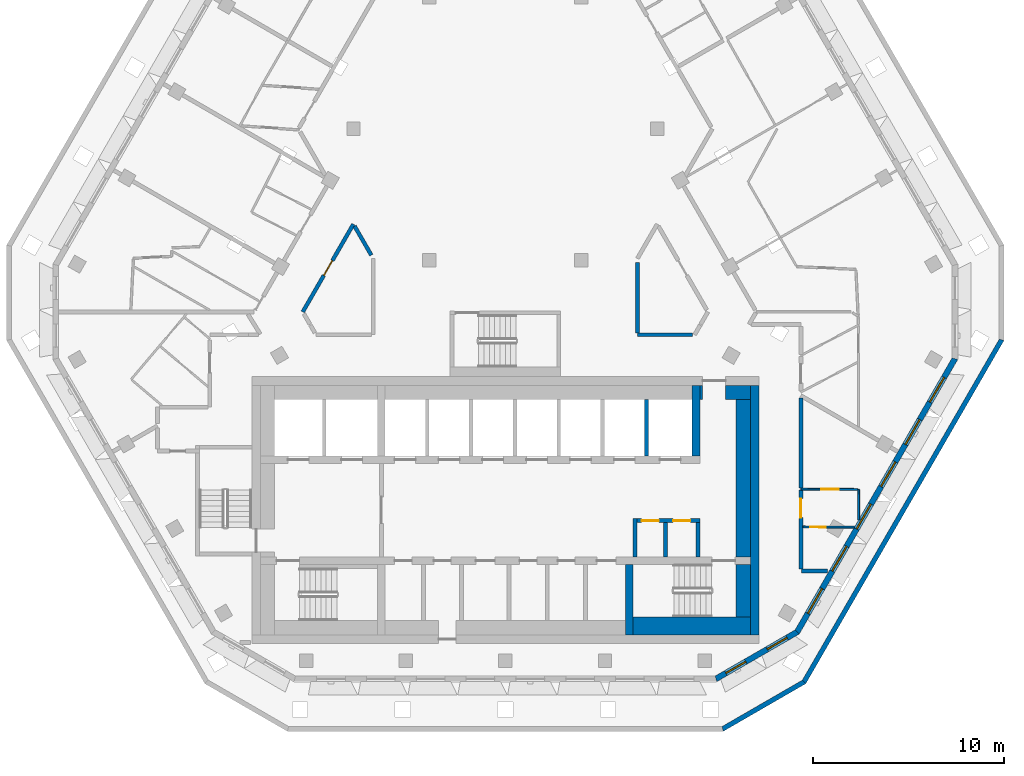
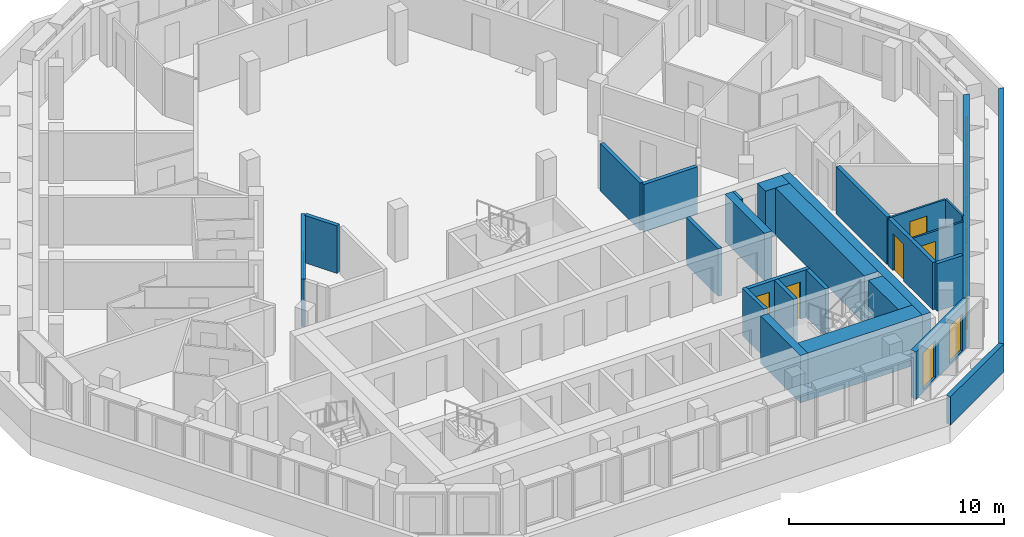
# One storey, part 5 of 15: 27 walls, 8 windows, 6 doors, 14 openings.
"""IFC4 building model written with IfcOpenShell, lengths in metres."""

from ifc_helpers import new_model, si_unit, direction, frame, frame_2d, origin, place, context, subcontext, project, spatial, polyline, rectangle, outline, extrude, material, layer, layer_set, type_object, element, fill, save


model = new_model("IFC4")

# Units and contexts
model_context = context("Model", 3, precision=1e-05, world=origin(), true_north=direction((0.0, 1.0)))
body_context = subcontext(model_context, "Body", "Model", "MODEL_VIEW")
ifc_project = project(units=[si_unit("LENGTHUNIT", "METRE"), si_unit("AREAUNIT", "SQUARE_METRE"), si_unit("VOLUMEUNIT", "CUBIC_METRE"), si_unit("PLANEANGLEUNIT", "RADIAN"), si_unit("MASSUNIT", "GRAM", prefix="KILO")], contexts=[model_context])

# Site, building, storey
site_placement = place(None, origin())
site = spatial("IfcSite", under=ifc_project, at=site_placement, CompositionType="ELEMENT")
building_placement = place(site_placement, origin())
building = spatial("IfcBuilding", under=site, at=building_placement, Name="Beryl Residences", CompositionType="ELEMENT")
storey_placement = place(building_placement, frame((0.0, 0.0, 202.800048828125)))
storey = spatial("IfcBuildingStorey", under=building, at=storey_placement, Name="L62", CompositionType="ELEMENT", Elevation=202.800048828125)

# Wall, openings, windows
ifc_material_1 = material(Name="Composite metal panel with mineral wool insulation")
ifc_layer_1 = layer(ifc_material_1, 0.300048828125)
ifc_layer_set_1 = layer_set([ifc_layer_1], Name="ES1 pale metal composite panel wall 300 mm")
wall_type_1 = type_object("IfcWallType", Name="ES1 pale metal composite panel wall 300 mm", PredefinedType="SOLIDWALL", material=ifc_layer_set_1)
wall_1_placement = place(storey_placement, frame((11.010009765625, -20.8701171875, 0.0), z_axis=(0.0, 0.0, 1.0), x_axis=(0.866022959057, 0.500004234368, 0.0)))
wall_1 = element("IfcWall", 1, at=wall_1_placement, inside=storey, type_object=wall_type_1, Name="ES1 external wall L62 S-SE", PredefinedType="SOLIDWALL", context=body_context, shape_type="SweptSolid", body=[
    extrude(outline(polyline([(0.0, -0.14990234375), (5.0, -0.14990234375), (4.919677734375, 0.14990234375), (0.080322265625, 0.14990234375), (0.0, -0.14990234375)])), origin(), (0.0, 0.0, 1.0), 2.699951171875),
])
opening_1_placement = place(wall_1_placement, frame((0.64990234375, 0.0, 0.14990234375)))
opening_1 = element("IfcOpeningElement", 2, at=opening_1_placement, cuts=wall_1, Name="Opening W2", PredefinedType="OPENING", context=body_context, shape_type="SweptSolid", body=[
    extrude(rectangle(XDim=1.199951171875, YDim=2.10009765625, at=frame_2d((0.60009765625, 1.050048828125))), frame((0.0, 0.159912109375, 0.0), z_axis=(0.0, -1.0, 0.0), x_axis=(1.0, 0.0, 0.0)), (0.0, 0.0, 1.0), 0.320068359375),
])
opening_2_placement = place(wall_1_placement, frame((3.14892578125, 0.0, 0.14990234375)))
opening_2 = element("IfcOpeningElement", 3, at=opening_2_placement, cuts=wall_1, Name="Opening W2", PredefinedType="OPENING", context=body_context, shape_type="SweptSolid", body=[
    extrude(rectangle(XDim=1.199951171875, YDim=2.10009765625, at=frame_2d((0.60009765625, 1.050048828125))), frame((0.0, 0.159912109375, 0.0), z_axis=(0.0, -1.0, 0.0), x_axis=(1.0, 0.0, 0.0)), (0.0, 0.0, 1.0), 0.320068359375),
])
ifc_material_2 = material(Name="Aluminium and clear glass", Category="aluminium")
window_type_1 = type_object("IfcWindowType", Name="W2 chamfer window 1200 x 2100 mm", PartitioningType="SINGLE_PANEL", PredefinedType="WINDOW", material=ifc_material_2)
window_1_placement = place(opening_1_placement, origin())
window_1 = element("IfcWindow", 4, at=window_1_placement, inside=storey, type_object=window_type_1, Name="W2 window L62 S-SE 1", OverallHeight=2.10009765625, OverallWidth=1.199951171875, PartitioningType="SINGLE_PANEL", PredefinedType="WINDOW", context=body_context, shape_type="SweptSolid", body=[
    extrude(rectangle(XDim=1.199951171875, YDim=2.10009765625, at=frame_2d((0.60009765625, 1.050048828125))), frame((0.0, 0.030029296875, 0.0), z_axis=(0.0, -1.0, 0.0), x_axis=(1.0, 0.0, 0.0)), (0.0, 0.0, 1.0), 0.06005859375),
])
fill(opening_1, window_1)
window_2_placement = place(opening_2_placement, origin())
window_2 = element("IfcWindow", 5, at=window_2_placement, inside=storey, type_object=window_type_1, Name="W2 window L62 S-SE 2", OverallHeight=2.10009765625, OverallWidth=1.199951171875, PartitioningType="SINGLE_PANEL", PredefinedType="WINDOW", context=body_context, shape_type="SweptSolid", body=[
    extrude(rectangle(XDim=1.199951171875, YDim=2.10009765625, at=frame_2d((0.60009765625, 1.050048828125))), frame((0.0, 0.030029296875, 0.0), z_axis=(0.0, -1.0, 0.0), x_axis=(1.0, 0.0, 0.0)), (0.0, 0.0, 1.0), 0.06005859375),
])
fill(opening_2, window_2)

wall_2_placement = place(storey_placement, frame((15.284912109375, -18.425048828125, 0.0), z_axis=(0.0, 0.0, 1.0), x_axis=(0.500012653391, 0.866018098222, 0.0)))
wall_2 = element("IfcWall", 6, at=wall_2_placement, inside=storey, type_object=wall_type_1, Name="ES1 external wall L62 SE", PredefinedType="SOLIDWALL", context=body_context, shape_type="SweptSolid", body=[
    extrude(outline(polyline([(0.0, -0.14990234375), (16.6279296875, -0.14990234375), (16.547607421875, 0.14990234375), (0.080322265625, 0.14990234375), (0.0, -0.14990234375)])), origin(), (0.0, 0.0, 1.0), 2.699951171875),
])
opening_3_placement = place(wall_2_placement, frame((1.1650390625, 0.0, 0.14990234375)))
opening_3 = element("IfcOpeningElement", 7, at=opening_3_placement, cuts=wall_2, Name="Opening W1", PredefinedType="OPENING", context=body_context, shape_type="SweptSolid", body=[
    extrude(rectangle(XDim=1.5, YDim=2.10009765625, at=frame_2d((0.75, 1.050048828125))), frame((0.0, 0.159912109375, 0.0), z_axis=(0.0, -1.0, 0.0), x_axis=(1.0, 0.0, 0.0)), (0.0, 0.0, 1.0), 0.320068359375),
])
opening_4_placement = place(wall_2_placement, frame((3.72412109375, 0.0, 0.14990234375)))
opening_4 = element("IfcOpeningElement", 8, at=opening_4_placement, cuts=wall_2, Name="Opening W1", PredefinedType="OPENING", context=body_context, shape_type="SweptSolid", body=[
    extrude(rectangle(XDim=1.5, YDim=2.10009765625, at=frame_2d((0.75, 1.050048828125))), frame((0.0, 0.159912109375, 0.0), z_axis=(0.0, -1.0, 0.0), x_axis=(1.0, 0.0, 0.0)), (0.0, 0.0, 1.0), 0.320068359375),
])
opening_5_placement = place(wall_2_placement, frame((6.282958984375, 0.0, 0.14990234375)))
opening_5 = element("IfcOpeningElement", 9, at=opening_5_placement, cuts=wall_2, Name="Opening W1", PredefinedType="OPENING", context=body_context, shape_type="SweptSolid", body=[
    extrude(rectangle(XDim=1.5, YDim=2.10009765625, at=frame_2d((0.75, 1.050048828125))), frame((0.0, 0.159912109375, 0.0), z_axis=(0.0, -1.0, 0.0), x_axis=(1.0, 0.0, 0.0)), (0.0, 0.0, 1.0), 0.320068359375),
])
opening_6_placement = place(wall_2_placement, frame((8.843017578125, 0.0, 0.14990234375)))
opening_6 = element("IfcOpeningElement", 10, at=opening_6_placement, cuts=wall_2, Name="Opening W1", PredefinedType="OPENING", context=body_context, shape_type="SweptSolid", body=[
    extrude(rectangle(XDim=1.5, YDim=2.10009765625, at=frame_2d((0.75, 1.050048828125))), frame((0.0, 0.159912109375, 0.0), z_axis=(0.0, -1.0, 0.0), x_axis=(1.0, 0.0, 0.0)), (0.0, 0.0, 1.0), 0.320068359375),
])
opening_7_placement = place(wall_2_placement, frame((11.402099609375, 0.0, 0.14990234375)))
opening_7 = element("IfcOpeningElement", 11, at=opening_7_placement, cuts=wall_2, Name="Opening W1", PredefinedType="OPENING", context=body_context, shape_type="SweptSolid", body=[
    extrude(rectangle(XDim=1.5, YDim=2.10009765625, at=frame_2d((0.75, 1.050048828125))), frame((0.0, 0.159912109375, 0.0), z_axis=(0.0, -1.0, 0.0), x_axis=(1.0, 0.0, 0.0)), (0.0, 0.0, 1.0), 0.320068359375),
])
opening_8_placement = place(wall_2_placement, frame((13.9619140625, 0.0, 0.14990234375)))
opening_8 = element("IfcOpeningElement", 12, at=opening_8_placement, cuts=wall_2, Name="Opening W1", PredefinedType="OPENING", context=body_context, shape_type="SweptSolid", body=[
    extrude(rectangle(XDim=1.5, YDim=2.10009765625, at=frame_2d((0.75, 1.050048828125))), frame((0.0, 0.159912109375, 0.0), z_axis=(0.0, -1.0, 0.0), x_axis=(1.0, 0.0, 0.0)), (0.0, 0.0, 1.0), 0.320068359375),
])
ifc_material_3 = material(Name="Aluminium and clear glass", Category="aluminium")
window_type_2 = type_object("IfcWindowType", Name="W1 cell window 1500 x 2100 mm", PartitioningType="SINGLE_PANEL", PredefinedType="WINDOW", material=ifc_material_3)
window_3_placement = place(opening_3_placement, origin())
window_3 = element("IfcWindow", 13, at=window_3_placement, inside=storey, type_object=window_type_2, Name="W1 window L62 SE 1", OverallHeight=2.10009765625, OverallWidth=1.5, PartitioningType="SINGLE_PANEL", PredefinedType="WINDOW", context=body_context, shape_type="SweptSolid", body=[
    extrude(rectangle(XDim=1.5, YDim=2.10009765625, at=frame_2d((0.75, 1.050048828125))), frame((0.0, 0.030029296875, 0.0), z_axis=(0.0, -1.0, 0.0), x_axis=(1.0, 0.0, 0.0)), (0.0, 0.0, 1.0), 0.06005859375),
])
fill(opening_3, window_3)
window_4_placement = place(opening_4_placement, origin())
window_4 = element("IfcWindow", 14, at=window_4_placement, inside=storey, type_object=window_type_2, Name="W1 window L62 SE 2", OverallHeight=2.10009765625, OverallWidth=1.5, PartitioningType="SINGLE_PANEL", PredefinedType="WINDOW", context=body_context, shape_type="SweptSolid", body=[
    extrude(rectangle(XDim=1.5, YDim=2.10009765625, at=frame_2d((0.75, 1.050048828125))), frame((0.0, 0.030029296875, 0.0), z_axis=(0.0, -1.0, 0.0), x_axis=(1.0, 0.0, 0.0)), (0.0, 0.0, 1.0), 0.06005859375),
])
fill(opening_4, window_4)
window_5_placement = place(opening_5_placement, origin())
window_5 = element("IfcWindow", 15, at=window_5_placement, inside=storey, type_object=window_type_2, Name="W1 window L62 SE 3", OverallHeight=2.10009765625, OverallWidth=1.5, PartitioningType="SINGLE_PANEL", PredefinedType="WINDOW", context=body_context, shape_type="SweptSolid", body=[
    extrude(rectangle(XDim=1.5, YDim=2.10009765625, at=frame_2d((0.75, 1.050048828125))), frame((0.0, 0.030029296875, 0.0), z_axis=(0.0, -1.0, 0.0), x_axis=(1.0, 0.0, 0.0)), (0.0, 0.0, 1.0), 0.06005859375),
])
fill(opening_5, window_5)
window_6_placement = place(opening_6_placement, origin())
window_6 = element("IfcWindow", 16, at=window_6_placement, inside=storey, type_object=window_type_2, Name="W1 window L62 SE 4", OverallHeight=2.10009765625, OverallWidth=1.5, PartitioningType="SINGLE_PANEL", PredefinedType="WINDOW", context=body_context, shape_type="SweptSolid", body=[
    extrude(rectangle(XDim=1.5, YDim=2.10009765625, at=frame_2d((0.75, 1.050048828125))), frame((0.0, 0.030029296875, 0.0), z_axis=(0.0, -1.0, 0.0), x_axis=(1.0, 0.0, 0.0)), (0.0, 0.0, 1.0), 0.06005859375),
])
fill(opening_6, window_6)
window_7_placement = place(opening_7_placement, origin())
window_7 = element("IfcWindow", 17, at=window_7_placement, inside=storey, type_object=window_type_2, Name="W1 window L62 SE 5", OverallHeight=2.10009765625, OverallWidth=1.5, PartitioningType="SINGLE_PANEL", PredefinedType="WINDOW", context=body_context, shape_type="SweptSolid", body=[
    extrude(rectangle(XDim=1.5, YDim=2.10009765625, at=frame_2d((0.75, 1.050048828125))), frame((0.0, 0.030029296875, 0.0), z_axis=(0.0, -1.0, 0.0), x_axis=(1.0, 0.0, 0.0)), (0.0, 0.0, 1.0), 0.06005859375),
])
fill(opening_7, window_7)
window_8_placement = place(opening_8_placement, origin())
window_8 = element("IfcWindow", 18, at=window_8_placement, inside=storey, type_object=window_type_2, Name="W1 window L62 SE 6", OverallHeight=2.10009765625, OverallWidth=1.5, PartitioningType="SINGLE_PANEL", PredefinedType="WINDOW", context=body_context, shape_type="SweptSolid", body=[
    extrude(rectangle(XDim=1.5, YDim=2.10009765625, at=frame_2d((0.75, 1.050048828125))), frame((0.0, 0.030029296875, 0.0), z_axis=(0.0, -1.0, 0.0), x_axis=(1.0, 0.0, 0.0)), (0.0, 0.0, 1.0), 0.06005859375),
])
fill(opening_8, window_8)

# Walls
ifc_material_4 = material(Name="Precast concrete C40/50", Category="concrete")
ifc_layer_2 = layer(ifc_material_4, 0.25)
ifc_layer_set_2 = layer_set([ifc_layer_2], Name="PA1 roof parapet 250 mm")
wall_type_2 = type_object("IfcWallType", Name="PA1 roof parapet 250 mm", PredefinedType="PARAPET", material=ifc_layer_set_2)
wall_3_placement = place(storey_placement, frame((26.0458984375, -3.0380859375, 0.0), z_axis=(0.0, 0.0, 1.0), x_axis=(-0.500074253024, -0.865982529536, 0.0)))
element("IfcWall", 19, at=wall_3_placement, inside=storey, type_object=wall_type_2, Name="PA1 parapet L62 strip 4", PredefinedType="PARAPET", context=body_context, shape_type="SweptSolid", body=[
    extrude(outline(polyline([(0.06689453125, -0.125), (20.717529296875, -0.125), (20.784423828125, 0.125), (0.0, 0.125), (0.06689453125, -0.125)])), origin(), (0.0, 0.0, 1.0), 1.599853515625),
])
wall_4_placement = place(storey_placement, frame((15.697998046875, -20.990966796875, 0.0), z_axis=(0.0, 0.0, 1.0), x_axis=(-0.865889515344, -0.500235291855, 0.0)))
element("IfcWall", 20, at=wall_4_placement, inside=storey, type_object=wall_type_2, Name="PA1 parapet L62 strip 5", PredefinedType="PARAPET", context=body_context, shape_type="SweptSolid", body=[
    extrude(outline(polyline([(0.06689453125, -0.125), (4.9326171875, -0.125), (4.99951171875, 0.125), (0.0, 0.125), (0.06689453125, -0.125)])), origin(), (0.0, 0.0, 1.0), 1.599853515625),
])

# Wall, opening, door
ifc_material_5 = material(Name="Gypsum board partition on steel studs", Category="steel")
ifc_layer_3 = layer(ifc_material_5, 0.10009765625)
ifc_layer_set_3 = layer_set([ifc_layer_3], Name="PT1 partition 100 mm gypsum board on steel studs")
wall_type_3 = type_object("IfcWallType", Name="PT1 partition 100 mm gypsum board on steel studs", PredefinedType="PARTITIONING", material=ifc_layer_set_3)
wall_5_placement = place(storey_placement, frame((15.5, -10.89990234375, 0.0), z_axis=(0.0, 0.0, 1.0), x_axis=(0.999985419789, -0.005400019449, 0.0)))
wall_5 = element("IfcWall", 21, at=wall_5_placement, inside=storey, type_object=wall_type_3, Name="Wall PT1 L62 001", PredefinedType="PARTITIONING", context=body_context, shape_type="SweptSolid", body=[
    extrude(rectangle(XDim=2.98388671875, YDim=0.10009765625, at=frame_2d((1.491943359375, 0.0))), origin(), (0.0, 0.0, 1.0), 2.699951171875),
])
opening_9_placement = place(wall_5_placement, frame((1.077880859375, 0.0, 0.0)))
opening_9 = element("IfcOpeningElement", 22, at=opening_9_placement, cuts=wall_5, Name="Opening D1827", PredefinedType="OPENING", context=body_context, shape_type="SweptSolid", body=[
    extrude(rectangle(XDim=0.89990234375, YDim=2.10009765625, at=frame_2d((0.449951171875, 1.050048828125))), frame((0.0, 0.06005859375, 0.0), z_axis=(0.0, -1.0, 0.0), x_axis=(1.0, 0.0, 0.0)), (0.0, 0.0, 1.0), 0.1201171875),
])
ifc_material_6 = material(Name="Timber door leaf", Category="wood")
door_type_1 = type_object("IfcDoorType", Name="D2 room door 900 x 2100 mm", OperationType="SINGLE_SWING_LEFT", PredefinedType="DOOR", material=ifc_material_6)
door_1_placement = place(opening_9_placement, origin())
door_1 = element("IfcDoor", 23, at=door_1_placement, inside=storey, type_object=door_type_1, Name="Door D1827 L62 001", OperationType="SINGLE_SWING_LEFT", OverallHeight=2.10009765625, OverallWidth=0.89990234375, PredefinedType="DOOR", context=body_context, shape_type="SweptSolid", body=[
    extrude(rectangle(XDim=0.89990234375, YDim=2.10009765625, at=frame_2d((0.449951171875, 1.050048828125))), frame((0.0, 0.02490234375, 0.0), z_axis=(0.0, -1.0, 0.0), x_axis=(1.0, 0.0, 0.0)), (0.0, 0.0, 1.0), 0.050048828125),
])
fill(opening_9, door_1)

wall_6_placement = place(storey_placement, frame((15.60009765625, -12.881103515625, 0.0), z_axis=(0.0, 0.0, 1.0), x_axis=(0.999986765426, -0.00514480058, 0.0)))
wall_6 = element("IfcWall", 24, at=wall_6_placement, inside=storey, type_object=wall_type_3, Name="Wall PT1 L62 002", PredefinedType="PARTITIONING", context=body_context, shape_type="SweptSolid", body=[
    extrude(rectangle(XDim=2.704833984375, YDim=0.10009765625, at=frame_2d((1.3525390625, 0.0))), origin(), (0.0, 0.0, 1.0), 2.699951171875),
])
opening_10_placement = place(wall_6_placement, frame((0.402099609375, 0.0, 0.0)))
opening_10 = element("IfcOpeningElement", 25, at=opening_10_placement, cuts=wall_6, Name="Opening D1828", PredefinedType="OPENING", context=body_context, shape_type="SweptSolid", body=[
    extrude(rectangle(XDim=0.800048828125, YDim=2.10009765625, at=frame_2d((0.39990234375, 1.050048828125))), frame((0.0, 0.06005859375, 0.0), z_axis=(0.0, -1.0, 0.0), x_axis=(1.0, 0.0, 0.0)), (0.0, 0.0, 1.0), 0.1201171875),
])
ifc_material_7 = material(Name="Timber door leaf", Category="wood")
door_type_2 = type_object("IfcDoorType", Name="D3 bathroom door 800 x 2100 mm", OperationType="SINGLE_SWING_LEFT", PredefinedType="DOOR", material=ifc_material_7)
door_2_placement = place(opening_10_placement, origin())
door_2 = element("IfcDoor", 26, at=door_2_placement, inside=storey, type_object=door_type_2, Name="Door D1828 L62 001", OperationType="SINGLE_SWING_RIGHT", OverallHeight=2.10009765625, OverallWidth=0.800048828125, PredefinedType="DOOR", context=body_context, shape_type="SweptSolid", body=[
    extrude(rectangle(XDim=0.800048828125, YDim=2.10009765625, at=frame_2d((0.39990234375, 1.050048828125))), frame((0.0, 0.02490234375, 0.0), z_axis=(0.0, -1.0, 0.0), x_axis=(1.0, 0.0, 0.0)), (0.0, 0.0, 1.0), 0.050048828125),
])
fill(opening_10, door_2)

# Walls
wall_7_placement = place(storey_placement, frame((18.527099609375, -12.509033203125, 0.0), z_axis=(0.0, 0.0, 1.0), x_axis=(0.004907163735, 0.9999879598, 0.0)))
element("IfcWall", 27, at=wall_7_placement, inside=storey, type_object=wall_type_3, Name="Wall PT1 L62 036", PredefinedType="PARTITIONING", context=body_context, shape_type="SweptSolid", body=[
    extrude(rectangle(XDim=1.592041015625, YDim=0.10009765625, at=frame_2d((0.7958984375, 0.0))), origin(), (0.0, 0.0, 1.0), 2.699951171875),
])
ifc_material_8 = material(Name="Concrete masonry", Category="masonry")
ifc_layer_4 = layer(ifc_material_8, 0.199951171875)
ifc_layer_set_4 = layer_set([ifc_layer_4], Name="PT13 lobby wall 200 mm")
wall_type_4 = type_object("IfcWallType", Name="PT13 lobby wall 200 mm", PredefinedType="PARTITIONING", material=ifc_layer_set_4)
wall_8_placement = place(storey_placement, frame((6.800048828125, -14.449951171875, 0.0), z_axis=(0.0, 0.0, 1.0), x_axis=(0.0, 1.0, 0.0)))
element("IfcWall", 28, at=wall_8_placement, inside=storey, type_object=wall_type_4, Name="Lobby wall 27", PredefinedType="PARTITIONING", context=body_context, shape_type="SweptSolid", body=[
    extrude(rectangle(XDim=2.0, YDim=0.199951171875, at=frame_2d((1.0, 0.0))), origin(), (0.0, 0.0, 1.0), 2.699951171875),
])

# Wall, openings, doors
wall_9_placement = place(storey_placement, frame((6.89990234375, -12.550048828125, 0.0), z_axis=(0.0, 0.0, 1.0), x_axis=(1.0, 0.0, 0.0)))
wall_9 = element("IfcWall", 29, at=wall_9_placement, inside=storey, type_object=wall_type_4, Name="Lobby wall 28", PredefinedType="PARTITIONING", context=body_context, shape_type="SweptSolid", body=[
    extrude(rectangle(XDim=3.300048828125, YDim=0.199951171875, at=frame_2d((1.64990234375, 0.0))), origin(), (0.0, 0.0, 1.0), 2.699951171875),
])
opening_11_placement = place(wall_9_placement, frame((1.14990234375, 0.0, 0.0), z_axis=(0.0, 0.0, 1.0), x_axis=(-1.0, 0.0, 0.0)))
opening_11 = element("IfcOpeningElement", 30, at=opening_11_placement, cuts=wall_9, Name="Opening CD-D-A1-900", PredefinedType="OPENING", context=body_context, shape_type="SweptSolid", body=[
    extrude(rectangle(XDim=0.89990234375, YDim=2.10009765625, at=frame_2d((0.449951171875, 1.050048828125))), frame((0.0, 0.10986328125, 0.0), z_axis=(0.0, -1.0, 0.0), x_axis=(1.0, 0.0, 0.0)), (0.0, 0.0, 1.0), 0.219970703125),
])
opening_12_placement = place(wall_9_placement, frame((2.7998046875, 0.0, 0.0), z_axis=(0.0, 0.0, 1.0), x_axis=(-1.0, 0.0, 0.0)))
opening_12 = element("IfcOpeningElement", 31, at=opening_12_placement, cuts=wall_9, Name="Opening CD-D-A2-900", PredefinedType="OPENING", context=body_context, shape_type="SweptSolid", body=[
    extrude(rectangle(XDim=0.89990234375, YDim=2.10009765625, at=frame_2d((0.449951171875, 1.050048828125))), frame((0.0, 0.10986328125, 0.0), z_axis=(0.0, -1.0, 0.0), x_axis=(1.0, 0.0, 0.0)), (0.0, 0.0, 1.0), 0.219970703125),
])
ifc_material_9 = material(Name="Steel door leaf in steel frame", Category="steel")
door_type_3 = type_object("IfcDoorType", Name="D6 service room door 900 x 2100 mm", OperationType="SINGLE_SWING_LEFT", PredefinedType="DOOR", material=ifc_material_9)
door_3_placement = place(opening_11_placement, origin())
door_3 = element("IfcDoor", 32, at=door_3_placement, inside=storey, type_object=door_type_3, Name="Door CD-D-A1-900 L62 001", OperationType="SINGLE_SWING_RIGHT", OverallHeight=2.10009765625, OverallWidth=0.89990234375, PredefinedType="DOOR", context=body_context, shape_type="SweptSolid", body=[
    extrude(rectangle(XDim=0.89990234375, YDim=2.10009765625, at=frame_2d((0.449951171875, 1.050048828125))), frame((0.0, 0.02490234375, 0.0), z_axis=(0.0, -1.0, 0.0), x_axis=(1.0, 0.0, 0.0)), (0.0, 0.0, 1.0), 0.050048828125),
])
fill(opening_11, door_3)
door_4_placement = place(opening_12_placement, origin())
door_4 = element("IfcDoor", 33, at=door_4_placement, inside=storey, type_object=door_type_3, Name="Door CD-D-A2-900 L62 001", OperationType="SINGLE_SWING_LEFT", OverallHeight=2.10009765625, OverallWidth=0.89990234375, PredefinedType="DOOR", context=body_context, shape_type="SweptSolid", body=[
    extrude(rectangle(XDim=0.89990234375, YDim=2.10009765625, at=frame_2d((0.449951171875, 1.050048828125))), frame((0.0, 0.02490234375, 0.0), z_axis=(0.0, -1.0, 0.0), x_axis=(1.0, 0.0, 0.0)), (0.0, 0.0, 1.0), 0.050048828125),
])
fill(opening_12, door_4)

# Walls
wall_10_placement = place(storey_placement, frame((10.10009765625, -14.449951171875, 0.0), z_axis=(0.0, 0.0, 1.0), x_axis=(0.0, 1.0, 0.0)))
element("IfcWall", 34, at=wall_10_placement, inside=storey, type_object=wall_type_4, Name="Lobby wall 31", PredefinedType="PARTITIONING", context=body_context, shape_type="SweptSolid", body=[
    extrude(rectangle(XDim=1.800048828125, YDim=0.199951171875, at=frame_2d((0.89990234375, 0.0))), origin(), (0.0, 0.0, 1.0), 2.699951171875),
])
ifc_material_10 = material(Name="Concrete masonry", Category="masonry")
ifc_layer_5 = layer(ifc_material_10, 0.14990234375)
ifc_layer_set_5 = layer_set([ifc_layer_5], Name="PT13-150 lobby wall 150 mm")
wall_type_5 = type_object("IfcWallType", Name="PT13-150 lobby wall 150 mm", PredefinedType="PARTITIONING", material=ifc_layer_set_5)
wall_11_placement = place(storey_placement, frame((10.27490234375, -6.199951171875, 0.0), z_axis=(0.0, 0.0, 1.0), x_axis=(0.0, 1.0, 0.0)))
element("IfcWall", 35, at=wall_11_placement, inside=storey, type_object=wall_type_5, Name="Lobby wall 32", PredefinedType="PARTITIONING", context=body_context, shape_type="SweptSolid", body=[
    extrude(rectangle(XDim=0.75, YDim=0.14990234375, at=frame_2d((0.375, 0.0))), origin(), (0.0, 0.0, 1.0), 2.699951171875),
])
ifc_material_11 = material(Name="Concrete masonry", Category="masonry")
ifc_layer_6 = layer(ifc_material_11, 0.75)
ifc_layer_set_6 = layer_set([ifc_layer_6], Name="PT13-750 lobby wall 750 mm")
wall_type_6 = type_object("IfcWallType", Name="PT13-750 lobby wall 750 mm", PredefinedType="PARTITIONING", material=ifc_layer_set_6)
wall_12_placement = place(storey_placement, frame((11.550048828125, -5.824951171875, 0.0), z_axis=(0.0, 0.0, 1.0), x_axis=(1.0, 0.0, 0.0)))
element("IfcWall", 36, at=wall_12_placement, inside=storey, type_object=wall_type_6, Name="Lobby wall 33", PredefinedType="PARTITIONING", context=body_context, shape_type="SweptSolid", body=[
    extrude(rectangle(XDim=1.300048828125, YDim=0.75, at=frame_2d((0.64990234375, 0.0))), origin(), (0.0, 0.0, 1.0), 2.699951171875),
])
wall_13_placement = place(storey_placement, frame((12.47509765625, -14.449951171875, 0.0), z_axis=(0.0, 0.0, 1.0), x_axis=(0.0, 1.0, 0.0)))
element("IfcWall", 37, at=wall_13_placement, inside=storey, type_object=wall_type_6, Name="Lobby wall 35", PredefinedType="PARTITIONING", context=body_context, shape_type="SweptSolid", body=[
    extrude(rectangle(XDim=8.25, YDim=0.75, at=frame_2d((4.125, 0.0))), origin(), (0.0, 0.0, 1.0), 2.699951171875),
])
ifc_material_12 = material(Name="Acoustic double stud gypsum board wall")
ifc_layer_7 = layer(ifc_material_12, 0.199951171875)
ifc_layer_set_7 = layer_set([ifc_layer_7], Name="PT3 party wall 200 mm acoustic double stud")
wall_type_7 = type_object("IfcWallType", Name="PT3 party wall 200 mm acoustic double stud", PredefinedType="PARTITIONING", material=ifc_layer_set_7)
wall_14_placement = place(storey_placement, frame((15.530029296875, -15.19091796875, 0.0), z_axis=(0.0, 0.0, 1.0), x_axis=(0.999986762212, -0.005145425143, 0.0)))
element("IfcWall", 38, at=wall_14_placement, inside=storey, type_object=wall_type_7, Name="Wall PT3 L62 001", PredefinedType="PARTITIONING", context=body_context, shape_type="SweptSolid", body=[
    extrude(rectangle(XDim=1.3759765625, YDim=0.199951171875, at=frame_2d((0.68798828125, 0.0))), origin(), (0.0, 0.0, 1.0), 2.699951171875),
])
ifc_material_13 = material(Name="Double stud gypsum board wall")
ifc_layer_8 = layer(ifc_material_13, 0.199951171875)
ifc_layer_set_8 = layer_set([ifc_layer_8], Name="PT4 corridor wall 200 mm double stud")
wall_type_8 = type_object("IfcWallType", Name="PT4 corridor wall 200 mm double stud", PredefinedType="PARTITIONING", material=ifc_layer_set_8)
wall_15_placement = place(storey_placement, frame((-7.908935546875, 2.89794921875, 0.0), z_axis=(0.0, 0.0, 1.0), x_axis=(0.50019444547, -0.865913111531, 0.0)))
element("IfcWall", 39, at=wall_15_placement, inside=storey, type_object=wall_type_8, Name="Wall PT4 L62 002", PredefinedType="PARTITIONING", context=body_context, shape_type="SweptSolid", body=[
    extrude(rectangle(XDim=1.760986328125, YDim=0.199951171875, at=frame_2d((0.88037109375, 0.0))), origin(), (0.0, 0.0, 1.0), 2.699951171875),
])
wall_16_placement = place(storey_placement, frame((6.927978515625, 1.0, 0.0), z_axis=(0.0, 0.0, 1.0), x_axis=(0.0, -1.0, 0.0)))
element("IfcWall", 40, at=wall_16_placement, inside=storey, type_object=wall_type_8, Name="Wall PT4 L62 009", PredefinedType="PARTITIONING", context=body_context, shape_type="SweptSolid", body=[
    extrude(rectangle(XDim=3.698974609375, YDim=0.199951171875, at=frame_2d((1.849609375, 0.0))), origin(), (0.0, 0.0, 1.0), 2.699951171875),
])
wall_17_placement = place(storey_placement, frame((15.5, -6.110107421875, 0.0), z_axis=(0.0, 0.0, 1.0), x_axis=(0.0, -1.0, 0.0)))
element("IfcWall", 41, at=wall_17_placement, inside=storey, type_object=wall_type_8, Name="Wall PT4 L62 011", PredefinedType="PARTITIONING", context=body_context, shape_type="SweptSolid", body=[
    extrude(rectangle(XDim=4.739990234375, YDim=0.199951171875, at=frame_2d((2.3701171875, 0.0))), origin(), (0.0, 0.0, 1.0), 2.699951171875),
])
wall_18_placement = place(storey_placement, frame((6.928955078125, -2.800048828125, 0.0), z_axis=(0.0, 0.0, 1.0), x_axis=(1.0, 0.0, 0.0)))
element("IfcWall", 42, at=wall_18_placement, inside=storey, type_object=wall_type_8, Name="Wall PT4 L62 018", PredefinedType="PARTITIONING", context=body_context, shape_type="SweptSolid", body=[
    extrude(rectangle(XDim=2.885009765625, YDim=0.199951171875, at=frame_2d((1.4423828125, 0.0))), origin(), (0.0, 0.0, 1.0), 2.699951171875),
])

# Wall, opening, door
wall_19_placement = place(storey_placement, frame((-10.623046875, -1.60009765625, 0.0), z_axis=(0.0, 0.0, 1.0), x_axis=(0.500040865889, 0.866001808567, 0.0)))
wall_19 = element("IfcWall", 43, at=wall_19_placement, inside=storey, type_object=wall_type_8, Name="Wall PT4 L62 025", PredefinedType="PARTITIONING", context=body_context, shape_type="SweptSolid", body=[
    extrude(rectangle(XDim=5.3095703125, YDim=0.199951171875, at=frame_2d((2.65478515625, 0.0))), origin(), (0.0, 0.0, 1.0), 2.699951171875),
])
opening_13_placement = place(wall_19_placement, frame((2.205078125, 0.0, 0.0)))
opening_13 = element("IfcOpeningElement", 44, at=opening_13_placement, cuts=wall_19, Name="Opening D1842", PredefinedType="OPENING", context=body_context, shape_type="SweptSolid", body=[
    extrude(rectangle(XDim=0.89990234375, YDim=2.10009765625, at=frame_2d((0.449951171875, 1.050048828125))), frame((0.0, 0.10986328125, 0.0), z_axis=(0.0, -1.0, 0.0), x_axis=(1.0, 0.0, 0.0)), (0.0, 0.0, 1.0), 0.219970703125),
])
door_5_placement = place(opening_13_placement, origin())
door_5 = element("IfcDoor", 45, at=door_5_placement, inside=storey, type_object=door_type_1, Name="Door D1842 L62 001", OperationType="SINGLE_SWING_RIGHT", OverallHeight=2.10009765625, OverallWidth=0.89990234375, PredefinedType="DOOR", context=body_context, shape_type="SweptSolid", body=[
    extrude(rectangle(XDim=0.89990234375, YDim=2.10009765625, at=frame_2d((0.449951171875, 1.050048828125))), frame((0.0, 0.02490234375, 0.0), z_axis=(0.0, -1.0, 0.0), x_axis=(1.0, 0.0, 0.0)), (0.0, 0.0, 1.0), 0.050048828125),
])
fill(opening_13, door_5)

wall_20_placement = place(storey_placement, frame((15.5, -15.090087890625, 0.0), z_axis=(0.0, 0.0, 1.0), x_axis=(0.0, 1.0, 0.0)))
wall_20 = element("IfcWall", 46, at=wall_20_placement, inside=storey, type_object=wall_type_8, Name="Wall PT4 L62 029", PredefinedType="PARTITIONING", context=body_context, shape_type="SweptSolid", body=[
    extrude(rectangle(XDim=4.14013671875, YDim=0.199951171875, at=frame_2d((2.070068359375, 0.0))), origin(), (0.0, 0.0, 1.0), 2.699951171875),
])
opening_14_placement = place(wall_20_placement, frame((2.699951171875, 0.0, 0.0)))
opening_14 = element("IfcOpeningElement", 47, at=opening_14_placement, cuts=wall_20, Name="Opening D1826", PredefinedType="OPENING", context=body_context, shape_type="SweptSolid", body=[
    extrude(rectangle(XDim=1.0, YDim=2.10009765625, at=frame_2d((0.5, 1.050048828125))), frame((0.0, 0.10986328125, 0.0), z_axis=(0.0, -1.0, 0.0), x_axis=(1.0, 0.0, 0.0)), (0.0, 0.0, 1.0), 0.219970703125),
])
ifc_material_14 = material(Name="Timber door leaf", Category="wood")
door_type_4 = type_object("IfcDoorType", Name="D1 flat entrance door 1000 x 2100 mm", OperationType="SINGLE_SWING_LEFT", PredefinedType="DOOR", material=ifc_material_14)
door_6_placement = place(opening_14_placement, origin())
door_6 = element("IfcDoor", 48, at=door_6_placement, inside=storey, type_object=door_type_4, Name="Door D1826 L62 001", OperationType="SINGLE_SWING_RIGHT", OverallHeight=2.10009765625, OverallWidth=1.0, PredefinedType="DOOR", context=body_context, shape_type="SweptSolid", body=[
    extrude(rectangle(XDim=1.0, YDim=2.10009765625, at=frame_2d((0.5, 1.050048828125))), frame((0.0, 0.02490234375, 0.0), z_axis=(0.0, -1.0, 0.0), x_axis=(1.0, 0.0, 0.0)), (0.0, 0.0, 1.0), 0.050048828125),
])
fill(opening_14, door_6)

# Walls
ifc_material_15 = material(Name="Concrete C40/50", Category="concrete")
ifc_layer_9 = layer(ifc_material_15, 0.75)
ifc_layer_set_9 = layer_set([ifc_layer_9], Name="PT5-750 stair enclosure wall 750 mm")
wall_type_9 = type_object("IfcWallType", Name="PT5-750 stair enclosure wall 750 mm", PredefinedType="SOLIDWALL", material=ifc_layer_set_9)
wall_21_placement = place(storey_placement, frame((12.47509765625, -17.60009765625, 0.0), z_axis=(0.0, 0.0, 1.0), x_axis=(0.0, 1.0, 0.0)))
element("IfcWall", 49, at=wall_21_placement, inside=storey, type_object=wall_type_9, Name="Stair wall 34", PredefinedType="SOLIDWALL", context=body_context, shape_type="SweptSolid", body=[
    extrude(rectangle(XDim=2.75, YDim=0.75, at=frame_2d((1.375, 0.0))), origin(), (0.0, 0.0, 1.0), 2.699951171875),
])
ifc_material_16 = material(Name="Concrete C40/50", Category="concrete")
ifc_layer_10 = layer(ifc_material_16, 0.949951171875)
ifc_layer_set_10 = layer_set([ifc_layer_10], Name="PT5-950 stair enclosure wall 950 mm")
wall_type_10 = type_object("IfcWallType", Name="PT5-950 stair enclosure wall 950 mm", PredefinedType="SOLIDWALL", material=ifc_layer_set_10)
wall_22_placement = place(storey_placement, frame((6.699951171875, -18.074951171875, 0.0), z_axis=(0.0, 0.0, 1.0), x_axis=(1.0, 0.0, 0.0)))
element("IfcWall", 50, at=wall_22_placement, inside=storey, type_object=wall_type_10, Name="Stair wall 26", PredefinedType="SOLIDWALL", context=body_context, shape_type="SweptSolid", body=[
    extrude(rectangle(XDim=6.150146484375, YDim=0.949951171875, at=frame_2d((3.0751953125, 0.0))), origin(), (0.0, 0.0, 1.0), 2.699951171875),
])
ifc_material_17 = material(Name="Concrete C40/50", Category="concrete")
ifc_layer_11 = layer(ifc_material_17, 0.199951171875)
ifc_layer_set_11 = layer_set([ifc_layer_11], Name="PT6 lift shaft wall 200 mm reinforced concrete C40/50")
wall_type_11 = type_object("IfcWallType", Name="PT6 lift shaft wall 200 mm reinforced concrete C40/50", PredefinedType="SOLIDWALL", material=ifc_layer_set_11)
wall_23_placement = place(storey_placement, frame((7.39990234375, -9.14990234375, 0.0), z_axis=(0.0, 0.0, 1.0), x_axis=(0.0, 1.0, 0.0)))
element("IfcWall", 51, at=wall_23_placement, inside=storey, type_object=wall_type_11, Name="Lift shaft wall 29", PredefinedType="SOLIDWALL", context=body_context, shape_type="SweptSolid", body=[
    extrude(rectangle(XDim=2.949951171875, YDim=0.199951171875, at=frame_2d((1.47509765625, 0.0))), origin(), (0.0, 0.0, 1.0), 2.699951171875),
])
ifc_material_18 = material(Name="Concrete masonry", Category="masonry")
ifc_layer_12 = layer(ifc_material_18, 0.199951171875)
ifc_layer_set_12 = layer_set([ifc_layer_12], Name="PT8-200 service room wall 200 mm")
wall_type_12 = type_object("IfcWallType", Name="PT8-200 service room wall 200 mm", PredefinedType="PARTITIONING", material=ifc_layer_set_12)
wall_24_placement = place(storey_placement, frame((8.39990234375, -14.449951171875, 0.0), z_axis=(0.0, 0.0, 1.0), x_axis=(0.0, 1.0, 0.0)))
element("IfcWall", 52, at=wall_24_placement, inside=storey, type_object=wall_type_12, Name="Core room wall 30", PredefinedType="PARTITIONING", context=body_context, shape_type="SweptSolid", body=[
    extrude(rectangle(XDim=1.800048828125, YDim=0.199951171875, at=frame_2d((0.89990234375, 0.0))), origin(), (0.0, 0.0, 1.0), 2.699951171875),
])
ifc_material_19 = material(Name="Concrete C50/60", Category="concrete")
ifc_layer_13 = layer(ifc_material_19, 0.39990234375)
ifc_layer_set_13 = layer_set([ifc_layer_13], Name="SW10 core internal wall 400 mm C50/60")
wall_type_13 = type_object("IfcWallType", Name="SW10 core internal wall 400 mm C50/60", PredefinedType="SHEAR", material=ifc_layer_set_13)
for number, where, z_axis, x_axis, name in (
    (53, (6.5, -18.550048828125, 0.0), (0.0, 0.0, 1.0), (0.0, 1.0, 0.0), "Core wall XS2 L62"),
    (54, (10.0, -9.14990234375, 0.0), (0.0, 0.0, 1.0), (0.0, 1.0, 0.0), "Core wall XN2 L62"),
):
    element("IfcWall", number, at=place(storey_placement, frame(where, z_axis=z_axis, x_axis=x_axis)), inside=storey, type_object=wall_type_13, Name=name, PredefinedType="SHEAR", context=body_context, shape_type="SweptSolid", body=[
        extrude(rectangle(XDim=3.699951171875, YDim=0.39990234375, at=frame_2d((1.85009765625, 0.0))), origin(), (0.0, 0.0, 1.0), 2.699951171875),
    ])
ifc_material_20 = material(Name="Concrete C50/60", Category="concrete")
ifc_layer_14 = layer(ifc_material_20, 0.449951171875)
ifc_layer_set_14 = layer_set([ifc_layer_14], Name="SW5 core outer wall 450 mm C50/60")
wall_type_14 = type_object("IfcWallType", Name="SW5 core outer wall 450 mm C50/60", PredefinedType="SHEAR", material=ifc_layer_set_14)
wall_25_placement = place(storey_placement, frame((13.074951171875, -18.550048828125, 0.0), z_axis=(0.0, 0.0, 1.0), x_axis=(0.0, 1.0, 0.0)))
element("IfcWall", 55, at=wall_25_placement, inside=storey, type_object=wall_type_14, Name="Core wall E L62", PredefinedType="SHEAR", context=body_context, shape_type="SweptSolid", body=[
    extrude(rectangle(XDim=13.10009765625, YDim=0.449951171875, at=frame_2d((6.550048828125, 0.0))), origin(), (0.0, 0.0, 1.0), 2.699951171875),
])

save(model, "model.ifc")
